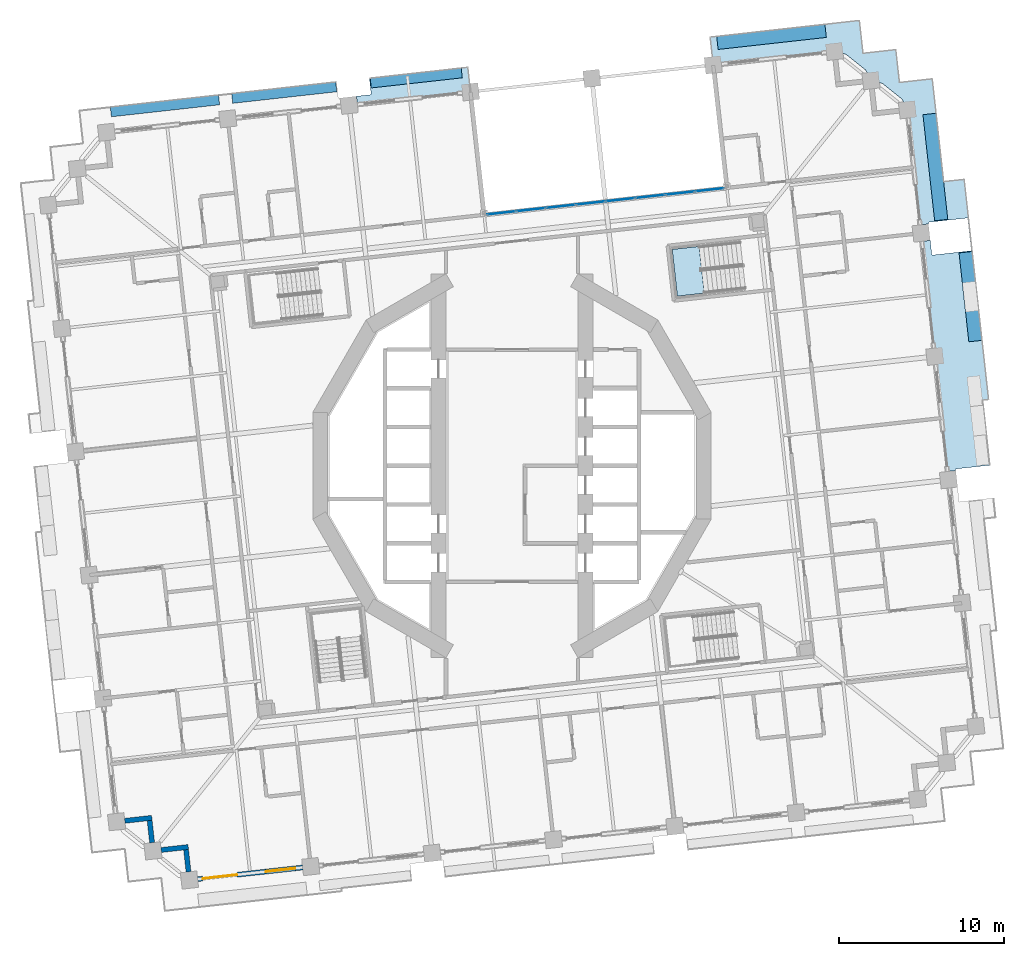
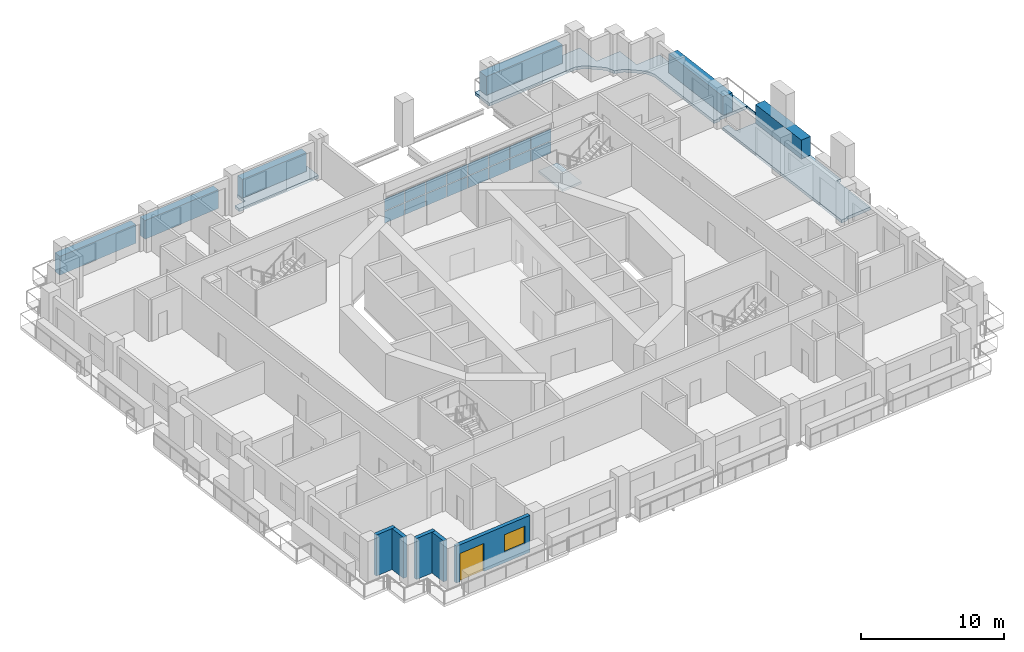
# One storey, part 6 of 20: 22 plates, 5 walls, 3 slabs, 1 door, 1 window, 2 openings, 2 elements without a shape of their own.
"""IFC4 building model written with IfcOpenShell, lengths in metres."""

from ifc_helpers import new_model, si_unit, direction, frame, frame_2d, origin, origin_2d, place, context, subcontext, project, spatial, polyline, rectangle, outline, extrude, material, layer, layer_set, type_object, element, fill, aggregate, save


model = new_model("IFC4")

# Units and contexts
model_context = context("Model", 3, precision=1e-05, world=origin(), true_north=direction((0.0, 1.0)))
body_context = subcontext(model_context, "Body", "Model", "MODEL_VIEW")
ifc_project = project(units=[si_unit("LENGTHUNIT", "METRE"), si_unit("AREAUNIT", "SQUARE_METRE"), si_unit("VOLUMEUNIT", "CUBIC_METRE"), si_unit("PLANEANGLEUNIT", "RADIAN"), si_unit("MASSUNIT", "GRAM", prefix="KILO")], contexts=[model_context])

# Site, building, storey
site_placement = place(None, origin())
site = spatial("IfcSite", under=ifc_project, at=site_placement, CompositionType="ELEMENT")
building_placement = place(site_placement, origin())
building = spatial("IfcBuilding", under=site, at=building_placement, Name="Cantera Rosa Tower", CompositionType="ELEMENT")
storey_placement = place(building_placement, frame((0.0, 0.0, 46.300048828125)))
storey = spatial("IfcBuildingStorey", under=building, at=storey_placement, Name="L08", CompositionType="ELEMENT", Elevation=46.300048828125)

# Curtain wall, plates
ifc_material_1 = material(Name="Aluminium frame with clear glass", Category="aluminium")
curtain_wall_type = type_object("IfcCurtainWallType", Name="CW1 TERRACE POCKET GLAZING", PredefinedType="NOTDEFINED", material=ifc_material_1)
curtain_wall_placement = place(storey_placement, origin())
curtain_wall = element("IfcCurtainWall", 1, at=curtain_wall_placement, inside=storey, type_object=curtain_wall_type, Name="CW1 CW1", PredefinedType="NOTDEFINED")
ifc_material_2 = material(Name="Aluminium frame with clear glass", Category="aluminium")
ifc_layer_1 = layer(ifc_material_2, 0.028076171875)
ifc_layer_set_1 = layer_set([ifc_layer_1], Name="CW-PANEL POCKET")
plate_type_1 = type_object("IfcPlateType", Name="CW-PANEL POCKET", PredefinedType="CURTAIN_PANEL", material=ifc_layer_set_1)
plate_1_placement = place(storey_placement, frame((11.97900390625, 16.723388671875, 0.06005859375), z_axis=(0.0, 0.0, 1.0), x_axis=(-0.993896946413, -0.110312555543, 0.0)))
plate_1 = element("IfcPlate", 2, at=plate_1_placement, type_object=plate_type_1, Name="CW1 panel 1.1", PredefinedType="CURTAIN_PANEL", context=body_context, shape_type="SweptSolid", body=[
    extrude(rectangle(XDim=1.728759765625, YDim=0.028076171875, at=origin_2d()), origin(), (0.0, 0.0, 1.0), 1.0029296875),
])
plate_2_placement = place(storey_placement, frame((11.97900390625, 16.723388671875, 1.123046875), z_axis=(0.0, 0.0, 1.0), x_axis=(-0.993896946413, -0.110312555543, 0.0)))
plate_2 = element("IfcPlate", 3, at=plate_2_placement, type_object=plate_type_1, Name="CW1 panel 1.2", PredefinedType="CURTAIN_PANEL", context=body_context, shape_type="SweptSolid", body=[
    extrude(rectangle(XDim=1.728759765625, YDim=0.028076171875, at=origin_2d()), origin(), (0.0, 0.0, 1.0), 1.0029296875),
])
plate_3_placement = place(storey_placement, frame((10.186279296875, 16.5244140625, 0.06005859375), z_axis=(0.0, 0.0, 1.0), x_axis=(-0.993896946413, -0.110312555543, 0.0)))
plate_3 = element("IfcPlate", 4, at=plate_3_placement, type_object=plate_type_1, Name="CW1 panel 2.1", PredefinedType="CURTAIN_PANEL", context=body_context, shape_type="SweptSolid", body=[
    extrude(rectangle(XDim=1.7587890625, YDim=0.028076171875, at=origin_2d()), origin(), (0.0, 0.0, 1.0), 1.0029296875),
])
plate_4_placement = place(storey_placement, frame((10.186279296875, 16.5244140625, 1.123046875), z_axis=(0.0, 0.0, 1.0), x_axis=(-0.993896946413, -0.110312555543, 0.0)))
plate_4 = element("IfcPlate", 5, at=plate_4_placement, type_object=plate_type_1, Name="CW1 panel 2.2", PredefinedType="CURTAIN_PANEL", context=body_context, shape_type="SweptSolid", body=[
    extrude(rectangle(XDim=1.7587890625, YDim=0.028076171875, at=origin_2d()), origin(), (0.0, 0.0, 1.0), 1.0029296875),
])
plate_5_placement = place(storey_placement, frame((8.37841796875, 16.323974609375, 0.06005859375), z_axis=(0.0, 0.0, 1.0), x_axis=(-0.993896946413, -0.110312555543, 0.0)))
plate_5 = element("IfcPlate", 6, at=plate_5_placement, type_object=plate_type_1, Name="CW1 panel 3.1", PredefinedType="CURTAIN_PANEL", context=body_context, shape_type="SweptSolid", body=[
    extrude(rectangle(XDim=1.7587890625, YDim=0.028076171875, at=origin_2d()), origin(), (0.0, 0.0, 1.0), 1.0029296875),
])
plate_6_placement = place(storey_placement, frame((8.37841796875, 16.323974609375, 1.123046875), z_axis=(0.0, 0.0, 1.0), x_axis=(-0.993896946413, -0.110312555543, 0.0)))
plate_6 = element("IfcPlate", 7, at=plate_6_placement, type_object=plate_type_1, Name="CW1 panel 3.2", PredefinedType="CURTAIN_PANEL", context=body_context, shape_type="SweptSolid", body=[
    extrude(rectangle(XDim=1.7587890625, YDim=0.028076171875, at=origin_2d()), origin(), (0.0, 0.0, 1.0), 1.0029296875),
])
plate_7_placement = place(storey_placement, frame((6.57080078125, 16.123291015625, 0.06005859375), z_axis=(0.0, 0.0, 1.0), x_axis=(-0.993896946413, -0.110312555543, 0.0)))
plate_7 = element("IfcPlate", 8, at=plate_7_placement, type_object=plate_type_1, Name="CW1 panel 4.1", PredefinedType="CURTAIN_PANEL", context=body_context, shape_type="SweptSolid", body=[
    extrude(rectangle(XDim=1.7587890625, YDim=0.028076171875, at=origin_2d()), origin(), (0.0, 0.0, 1.0), 1.0029296875),
])
plate_8_placement = place(storey_placement, frame((6.57080078125, 16.123291015625, 1.123046875), z_axis=(0.0, 0.0, 1.0), x_axis=(-0.993896946413, -0.110312555543, 0.0)))
plate_8 = element("IfcPlate", 9, at=plate_8_placement, type_object=plate_type_1, Name="CW1 panel 4.2", PredefinedType="CURTAIN_PANEL", context=body_context, shape_type="SweptSolid", body=[
    extrude(rectangle(XDim=1.7587890625, YDim=0.028076171875, at=origin_2d()), origin(), (0.0, 0.0, 1.0), 1.0029296875),
])
plate_9_placement = place(storey_placement, frame((4.76318359375, 15.922607421875, 0.06005859375), z_axis=(0.0, 0.0, 1.0), x_axis=(-0.993896946413, -0.110312555543, 0.0)))
plate_9 = element("IfcPlate", 10, at=plate_9_placement, type_object=plate_type_1, Name="CW1 panel 5.1", PredefinedType="CURTAIN_PANEL", context=body_context, shape_type="SweptSolid", body=[
    extrude(rectangle(XDim=1.7587890625, YDim=0.028076171875, at=origin_2d()), origin(), (0.0, 0.0, 1.0), 1.0029296875),
])
plate_10_placement = place(storey_placement, frame((4.76318359375, 15.922607421875, 1.123046875), z_axis=(0.0, 0.0, 1.0), x_axis=(-0.993896946413, -0.110312555543, 0.0)))
plate_10 = element("IfcPlate", 11, at=plate_10_placement, type_object=plate_type_1, Name="CW1 panel 5.2", PredefinedType="CURTAIN_PANEL", context=body_context, shape_type="SweptSolid", body=[
    extrude(rectangle(XDim=1.7587890625, YDim=0.028076171875, at=origin_2d()), origin(), (0.0, 0.0, 1.0), 1.0029296875),
])
plate_11_placement = place(storey_placement, frame((2.95556640625, 15.721923828125, 0.06005859375), z_axis=(0.0, 0.0, 1.0), x_axis=(-0.993896946413, -0.110312555543, 0.0)))
plate_11 = element("IfcPlate", 12, at=plate_11_placement, type_object=plate_type_1, Name="CW1 panel 6.1", PredefinedType="CURTAIN_PANEL", context=body_context, shape_type="SweptSolid", body=[
    extrude(rectangle(XDim=1.7587890625, YDim=0.028076171875, at=origin_2d()), origin(), (0.0, 0.0, 1.0), 1.0029296875),
])
plate_12_placement = place(storey_placement, frame((2.95556640625, 15.721923828125, 1.123046875), z_axis=(0.0, 0.0, 1.0), x_axis=(-0.993896946413, -0.110312555543, 0.0)))
plate_12 = element("IfcPlate", 13, at=plate_12_placement, type_object=plate_type_1, Name="CW1 panel 6.2", PredefinedType="CURTAIN_PANEL", context=body_context, shape_type="SweptSolid", body=[
    extrude(rectangle(XDim=1.7587890625, YDim=0.028076171875, at=origin_2d()), origin(), (0.0, 0.0, 1.0), 1.0029296875),
])
plate_13_placement = place(storey_placement, frame((1.14794921875, 15.521240234375, 0.06005859375), z_axis=(0.0, 0.0, 1.0), x_axis=(-0.993896946413, -0.110312555543, 0.0)))
plate_13 = element("IfcPlate", 14, at=plate_13_placement, type_object=plate_type_1, Name="CW1 panel 7.1", PredefinedType="CURTAIN_PANEL", context=body_context, shape_type="SweptSolid", body=[
    extrude(rectangle(XDim=1.7587890625, YDim=0.028076171875, at=origin_2d()), origin(), (0.0, 0.0, 1.0), 1.0029296875),
])
plate_14_placement = place(storey_placement, frame((1.14794921875, 15.521240234375, 1.123046875), z_axis=(0.0, 0.0, 1.0), x_axis=(-0.993896946413, -0.110312555543, 0.0)))
plate_14 = element("IfcPlate", 15, at=plate_14_placement, type_object=plate_type_1, Name="CW1 panel 7.2", PredefinedType="CURTAIN_PANEL", context=body_context, shape_type="SweptSolid", body=[
    extrude(rectangle(XDim=1.7587890625, YDim=0.028076171875, at=origin_2d()), origin(), (0.0, 0.0, 1.0), 1.0029296875),
])
plate_15_placement = place(storey_placement, frame((-0.644775390625, 15.322265625, 0.06005859375), z_axis=(0.0, 0.0, 1.0), x_axis=(-0.993896946413, -0.110312555543, 0.0)))
plate_15 = element("IfcPlate", 16, at=plate_15_placement, type_object=plate_type_1, Name="CW1 panel 8.1", PredefinedType="CURTAIN_PANEL", context=body_context, shape_type="SweptSolid", body=[
    extrude(rectangle(XDim=1.728759765625, YDim=0.028076171875, at=origin_2d()), origin(), (0.0, 0.0, 1.0), 1.0029296875),
])
plate_16_placement = place(storey_placement, frame((-0.644775390625, 15.322265625, 1.123046875), z_axis=(0.0, 0.0, 1.0), x_axis=(-0.993896946413, -0.110312555543, 0.0)))
plate_16 = element("IfcPlate", 17, at=plate_16_placement, type_object=plate_type_1, Name="CW1 panel 8.2", PredefinedType="CURTAIN_PANEL", context=body_context, shape_type="SweptSolid", body=[
    extrude(rectangle(XDim=1.728759765625, YDim=0.028076171875, at=origin_2d()), origin(), (0.0, 0.0, 1.0), 1.0029296875),
])
aggregate(curtain_wall, [plate_1, plate_2, plate_3, plate_4, plate_5, plate_6, plate_7, plate_8, plate_9, plate_10, plate_11, plate_12, plate_13, plate_14, plate_15, plate_16])

# Slabs
ifc_material_3 = material(Name="Concrete C35/45", Category="concrete")
ifc_layer_2 = layer(ifc_material_3, 0.25)
ifc_layer_set_2 = layer_set([ifc_layer_2], Name="LOGGIA SLAB 250 C35/45")
slab_type_1 = type_object("IfcSlabType", Name="LOGGIA SLAB 250 C35/45", PredefinedType="FLOOR", material=ifc_layer_set_2)
slab_1_placement = place(storey_placement, frame((0.0, 0.0, -0.25)))
element("IfcSlab", 18, at=slab_1_placement, inside=storey, type_object=slab_type_1, Name="LOGGIA SLAB L08 3", PredefinedType="FLOOR", context=body_context, shape_type="SweptSolid", body=[
    extrude(outline(polyline([(-2.6806640625, 24.151611328125), (-2.51513671875, 22.660888671875), (-9.373046875, 21.899658203125), (-9.42822265625, 22.396484375), (-8.53369140625, 22.495849609375), (-8.64404296875, 23.48974609375), (-8.544677734375, 23.5009765625), (-4.17138671875, 23.986083984375), (-2.6806640625, 24.151611328125)])), origin(), (0.0, 0.0, 1.0), 0.25),
])
slab_2_placement = place(storey_placement, frame((0.0, 0.0, -0.25)))
element("IfcSlab", 19, at=slab_2_placement, inside=storey, type_object=slab_type_1, Name="LOGGIA SLAB L08 6", PredefinedType="FLOOR", context=body_context, shape_type="SweptSolid", body=[
    extrude(outline(polyline([(21.051513671875, 26.98681640625), (21.239013671875, 25.29736328125), (21.272216796875, 24.999267578125), (21.5703125, 25.0322265625), (23.260009765625, 25.2197265625), (23.447509765625, 23.5302734375), (23.48046875, 23.23193359375), (23.77880859375, 23.26513671875), (25.46826171875, 23.45263671875), (25.65576171875, 21.762939453125), (26.159912109375, 17.22021484375), (27.40185546875, 17.358154296875), (28.882080078125, 4.021240234375), (28.5224609375, 3.981201171875), (28.96044921875, 0.034912109375), (26.885498046875, -0.1953125), (26.896728515625, -0.294921875), (26.399658203125, -0.349853515625), (24.850830078125, 13.6044921875), (25.347900390625, 13.65966796875), (25.447265625, 12.764892578125), (27.83251953125, 13.02978515625), (27.61181640625, 15.017578125), (25.2265625, 14.752685546875), (25.237548828125, 14.653564453125), (24.740478515625, 14.598388671875), (23.96630859375, 21.575439453125), (23.677001953125, 22.161865234375), (23.66162109375, 22.18701171875), (23.643798828125, 22.21044921875), (23.62353515625, 22.23193359375), (23.6015625, 22.25146484375), (22.497314453125, 23.135009765625), (22.473388671875, 23.15234375), (22.447998046875, 23.1669921875), (22.42138671875, 23.179443359375), (22.393310546875, 23.18896484375), (21.7578125, 23.342529296875), (21.468505859375, 23.92919921875), (21.453125, 23.9541015625), (21.435302734375, 23.9775390625), (21.415283203125, 23.999267578125), (21.39306640625, 24.018798828125), (20.288818359375, 24.902099609375), (20.26513671875, 24.91943359375), (20.239501953125, 24.934326171875), (20.212890625, 24.946533203125), (20.18505859375, 24.9560546875), (19.54931640625, 25.10986328125), (18.642578125, 25.00927734375), (12.194580078125, 24.29345703125), (12.007080078125, 25.983154296875), (19.36181640625, 26.79931640625), (21.051513671875, 26.98681640625)])), origin(), (0.0, 0.0, 1.0), 0.25),
])

# Plates
ifc_material_4 = material(Name="Cantera stone planter with soil", Category="masonry")
plate_type_2 = type_object("IfcPlateType", Name="PLANTER 600", PredefinedType="USERDEFINED", material=ifc_material_4)
plate_17_placement = place(storey_placement, frame((-5.80322265625, 23.503173828125, 0.0), z_axis=(0.0, 0.0, 1.0), x_axis=(-0.993896946415, -0.110312555526, 0.0)))
element("IfcPlate", 20, at=plate_17_placement, inside=storey, type_object=plate_type_2, Name="PLANTER L08-09", ObjectType="PLANTER", PredefinedType="USERDEFINED", context=body_context, shape_type="SweptSolid", body=[
    extrude(rectangle(XDim=5.550048828125, YDim=0.60009765625, at=origin_2d()), origin(), (0.0, 0.0, 1.0), 1.60009765625),
])
plate_18_placement = place(storey_placement, frame((-13.803955078125, 22.615234375, 0.0), z_axis=(0.0, 0.0, 1.0), x_axis=(-0.993896946415, -0.110312555526, 0.0)))
element("IfcPlate", 21, at=plate_18_placement, inside=storey, type_object=plate_type_2, Name="PLANTER L08-10", ObjectType="PLANTER", PredefinedType="USERDEFINED", context=body_context, shape_type="SweptSolid", body=[
    extrude(rectangle(XDim=6.35009765625, YDim=0.60009765625, at=origin_2d()), origin(), (0.0, 0.0, 1.0), 1.60009765625),
])
plate_19_placement = place(storey_placement, frame((-21.03466796875, 21.812744140625, 0.0), z_axis=(0.0, 0.0, 1.0), x_axis=(-0.993896946415, -0.110312555526, 0.0)))
element("IfcPlate", 22, at=plate_19_placement, inside=storey, type_object=plate_type_2, Name="PLANTER L08-11", ObjectType="PLANTER", PredefinedType="USERDEFINED", context=body_context, shape_type="SweptSolid", body=[
    extrude(rectangle(XDim=6.60009765625, YDim=0.60009765625, at=origin_2d()), origin(), (0.0, 0.0, 1.0), 1.60009765625),
])
ifc_material_5 = material(Name="Cantera stone planter with soil", Category="masonry")
plate_type_3 = type_object("IfcPlateType", Name="PLANTER 800", PredefinedType="USERDEFINED", material=ifc_material_5)
plate_20_placement = place(storey_placement, frame((27.78857421875, 10.248046875, 0.0), z_axis=(0.0, 0.0, 1.0), x_axis=(-0.110312555526, 0.993896946415, 0.0)))
element("IfcPlate", 23, at=plate_20_placement, inside=storey, type_object=plate_type_3, Name="PLANTER L08-04", ObjectType="PLANTER", PredefinedType="USERDEFINED", context=body_context, shape_type="SweptSolid", body=[
    extrude(rectangle(XDim=5.419921875, YDim=0.800048828125, at=origin_2d()), origin(), (0.0, 0.0, 1.0), 1.60009765625),
])
plate_21_placement = place(storey_placement, frame((25.6591796875, 18.10595703125, 0.0), z_axis=(0.0, 0.0, 1.0), x_axis=(-0.110312555526, 0.993896946415, 0.0)))
element("IfcPlate", 24, at=plate_21_placement, inside=storey, type_object=plate_type_3, Name="PLANTER L08-05", ObjectType="PLANTER", PredefinedType="USERDEFINED", context=body_context, shape_type="SweptSolid", body=[
    extrude(rectangle(XDim=6.469970703125, YDim=0.800048828125, at=origin_2d()), origin(), (0.0, 0.0, 1.0), 1.60009765625),
])
plate_22_placement = place(storey_placement, frame((15.728515625, 25.99365234375, 0.0), z_axis=(0.0, 0.0, 1.0), x_axis=(-0.993896946415, -0.110312555526, 0.0)))
element("IfcPlate", 25, at=plate_22_placement, inside=storey, type_object=plate_type_3, Name="PLANTER L08-06", ObjectType="PLANTER", PredefinedType="USERDEFINED", context=body_context, shape_type="SweptSolid", body=[
    extrude(rectangle(XDim=6.60009765625, YDim=0.800048828125, at=origin_2d()), origin(), (0.0, 0.0, 1.0), 1.60009765625),
])

# Stair, slab
ifc_material_6 = material(Name="Concrete C35/45", Category="concrete")
stair_type = type_object("IfcStairType", Name="EXIT STAIR 1350 DOGLEG", PredefinedType="HALF_TURN_STAIR", material=ifc_material_6)
stair_placement = place(storey_placement, origin())
stair = element("IfcStair", 26, at=stair_placement, inside=storey, type_object=stair_type, Name="L08 ST-11", PredefinedType="HALF_TURN_STAIR")
ifc_material_7 = material(Name="Concrete C35/45", Category="concrete")
ifc_layer_3 = layer(ifc_material_7, 0.199951171875)
ifc_layer_set_3 = layer_set([ifc_layer_3], Name="STAIR LANDING 200")
slab_type_2 = type_object("IfcSlabType", Name="STAIR LANDING 200", PredefinedType="LANDING", material=ifc_layer_set_3)
slab_3_placement = place(storey_placement, frame((0.0, 0.0, 1.699951171875)))
slab_3 = element("IfcSlab", 27, at=slab_3_placement, type_object=slab_type_2, Name="ST-11 landing 1", PredefinedType="LANDING", context=body_context, shape_type="SweptSolid", body=[
    extrude(outline(polyline([(11.341552734375, 13.294189453125), (9.70947265625, 13.113037109375), (10.02392578125, 10.2802734375), (11.656005859375, 10.46142578125), (11.341552734375, 13.294189453125)])), origin(), (0.0, 0.0, 1.0), 0.199951171875),
])
aggregate(stair, [slab_3])

# Walls
ifc_material_8 = material(Name="Hollow clay masonry with cantera stone cladding", Category="masonry")
ifc_layer_4 = layer(ifc_material_8, 0.300048828125)
ifc_layer_set_4 = layer_set([ifc_layer_4], Name="EW-LOGGIA 300")
wall_type_1 = type_object("IfcWallType", Name="EW-LOGGIA 300", PredefinedType="SOLIDWALL", material=ifc_layer_set_4)
wall_1_placement = place(storey_placement, frame((-23.46923828125, -21.520263671875, 0.0), z_axis=(0.0, 0.0, 1.0), x_axis=(0.993905369514, 0.110236638423, 0.0)))
element("IfcWall", 28, at=wall_1_placement, inside=storey, type_object=wall_type_1, Name="EN-L08-W21a", PredefinedType="SOLIDWALL", context=body_context, shape_type="SweptSolid", body=[
    extrude(rectangle(XDim=1.64990234375, YDim=0.300048828125, at=frame_2d((0.824951171875, 0.0))), origin(), (0.0, 0.0, 1.0), 3.5),
])
wall_2_placement = place(storey_placement, frame((-21.9619140625, -21.50390625, 0.0), z_axis=(0.0, 0.0, 1.0), x_axis=(0.110312435488, -0.993896959738, 0.0)))
element("IfcWall", 29, at=wall_2_placement, inside=storey, type_object=wall_type_1, Name="EN-L08-W21b", PredefinedType="SOLIDWALL", context=body_context, shape_type="SweptSolid", body=[
    extrude(rectangle(XDim=1.35009765625, YDim=0.300048828125, at=frame_2d((0.675048828125, 0.0))), origin(), (0.0, 0.0, 1.0), 3.5),
])
wall_3_placement = place(storey_placement, frame((-21.2607421875, -23.287353515625, 0.0), z_axis=(0.0, 0.0, 1.0), x_axis=(0.993905369514, 0.110236638423, 0.0)))
element("IfcWall", 30, at=wall_3_placement, inside=storey, type_object=wall_type_1, Name="EN-L08-W22a", PredefinedType="SOLIDWALL", context=body_context, shape_type="SweptSolid", body=[
    extrude(rectangle(XDim=1.64990234375, YDim=0.300048828125, at=frame_2d((0.824951171875, 0.0))), origin(), (0.0, 0.0, 1.0), 3.5),
])
wall_4_placement = place(storey_placement, frame((-19.75341796875, -23.27099609375, 0.0), z_axis=(0.0, 0.0, 1.0), x_axis=(0.110312435488, -0.993896959738, 0.0)))
element("IfcWall", 31, at=wall_4_placement, inside=storey, type_object=wall_type_1, Name="EN-L08-W22b", PredefinedType="SOLIDWALL", context=body_context, shape_type="SweptSolid", body=[
    extrude(rectangle(XDim=1.35009765625, YDim=0.300048828125, at=frame_2d((0.675048828125, 0.0))), origin(), (0.0, 0.0, 1.0), 3.5),
])

# Wall, openings, window, door
ifc_material_9 = material(Name="Hollow clay masonry with cantera stone cladding", Category="masonry")
ifc_layer_5 = layer(ifc_material_9, 0.300048828125)
ifc_layer_set_5 = layer_set([ifc_layer_5], Name="EW-LOGGIA 300 H3140")
wall_type_2 = type_object("IfcWallType", Name="EW-LOGGIA 300 H3140", PredefinedType="SOLIDWALL", material=ifc_layer_set_5)
wall_5_placement = place(storey_placement, frame((-19.052490234375, -25.0546875, 0.0), z_axis=(0.0, 0.0, 1.0), x_axis=(0.993896288542, 0.110318482689, 0.0)))
wall_5 = element("IfcWall", 32, at=wall_5_placement, inside=storey, type_object=wall_type_2, Name="EN-L08-W23", PredefinedType="SOLIDWALL", context=body_context, shape_type="SweptSolid", body=[
    extrude(rectangle(XDim=6.400146484375, YDim=0.300048828125, at=frame_2d((3.2001953125, 0.0))), origin(), (0.0, 0.0, 1.0), 3.139892578125),
])
opening_1_placement = place(wall_5_placement, frame((0.300048828125, 0.0, 0.0)))
opening_1 = element("IfcOpeningElement", 33, at=opening_1_placement, cuts=wall_5, Name="Opening L08-TD29", PredefinedType="OPENING", context=body_context, shape_type="SweptSolid", body=[
    extrude(rectangle(XDim=2.10009765625, YDim=2.39990234375, at=frame_2d((1.050048828125, 1.199951171875))), frame((0.0, 0.159912109375, 0.0), z_axis=(0.0, -1.0, 0.0), x_axis=(1.0, 0.0, 0.0)), (0.0, 0.0, 1.0), 0.320068359375),
])
opening_2_placement = place(wall_5_placement, frame((4.14990234375, 0.0, 0.89990234375)))
opening_2 = element("IfcOpeningElement", 34, at=opening_2_placement, cuts=wall_5, Name="Opening L08-W30", PredefinedType="OPENING", context=body_context, shape_type="SweptSolid", body=[
    extrude(rectangle(XDim=1.800048828125, YDim=1.5, at=frame_2d((0.89990234375, 0.75))), frame((0.0, 0.159912109375, 0.0), z_axis=(0.0, -1.0, 0.0), x_axis=(1.0, 0.0, 0.0)), (0.0, 0.0, 1.0), 0.320068359375),
])
ifc_material_10 = material(Name="Aluminium frame with clear glass", Category="aluminium")
window_type = type_object("IfcWindowType", Name="Hotel room window 1800x1500", PartitioningType="DOUBLE_PANEL_VERTICAL", PredefinedType="WINDOW", material=ifc_material_10)
window_placement = place(opening_2_placement, origin())
window = element("IfcWindow", 35, at=window_placement, inside=storey, type_object=window_type, Name="WINDOW L08-W30", OverallHeight=1.5, OverallWidth=1.800048828125, PartitioningType="SINGLE_PANEL", PredefinedType="WINDOW", context=body_context, shape_type="SweptSolid", body=[
    extrude(rectangle(XDim=1.800048828125, YDim=1.5, at=frame_2d((0.89990234375, 0.75))), frame((0.0, 0.030029296875, 0.0), z_axis=(0.0, -1.0, 0.0), x_axis=(1.0, 0.0, 0.0)), (0.0, 0.0, 1.0), 0.06005859375),
])
fill(opening_2, window)
ifc_material_11 = material(Name="Aluminium frame with clear glass", Category="aluminium")
door_type = type_object("IfcDoorType", Name="TD-H 2100x2400", OperationType="NOTDEFINED", PredefinedType="DOOR", material=ifc_material_11)
door_placement = place(opening_1_placement, origin())
door = element("IfcDoor", 36, at=door_placement, inside=storey, type_object=door_type, Name="LOGGIA DOOR L08-TD29", OperationType="SLIDING_TO_LEFT", OverallHeight=2.39990234375, OverallWidth=2.10009765625, PredefinedType="DOOR", context=body_context, shape_type="SweptSolid", body=[
    extrude(rectangle(XDim=2.10009765625, YDim=2.39990234375, at=frame_2d((1.050048828125, 1.199951171875))), frame((0.0, 0.02490234375, 0.0), z_axis=(0.0, -1.0, 0.0), x_axis=(1.0, 0.0, 0.0)), (0.0, 0.0, 1.0), 0.050048828125),
])
fill(opening_1, door)

save(model, "model.ifc")
